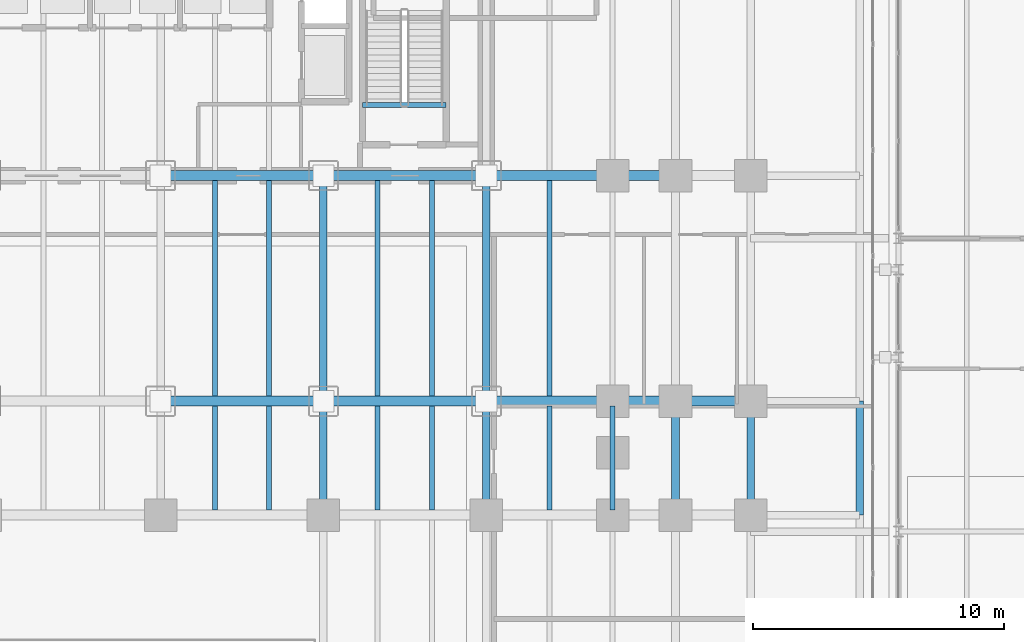
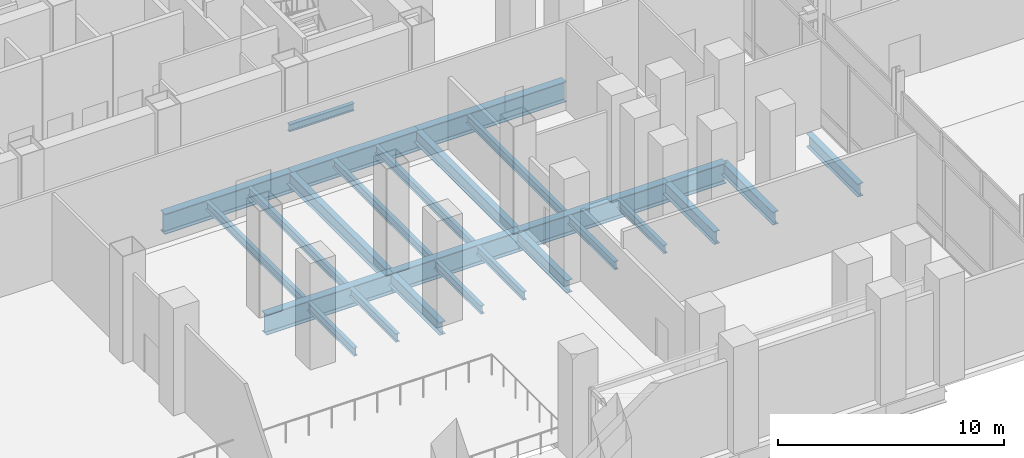
# One storey, part 10 of 36: 26 beams.
"""IFC4 building model written with IfcOpenShell, lengths in metres."""

from ifc_helpers import new_model, si_unit, direction, frame, origin, origin_2d, place, context, subcontext, project, spatial, i_section, extrude, material, material_profile, profile_set, type_object, element, save


model = new_model("IFC4")

# Units and contexts
model_context = context("Model", 3, precision=1e-05, world=origin(), true_north=direction((0.0, 1.0)))
body_context = subcontext(model_context, "Body", "Model", "MODEL_VIEW")
ifc_project = project(units=[si_unit("LENGTHUNIT", "METRE"), si_unit("AREAUNIT", "SQUARE_METRE"), si_unit("VOLUMEUNIT", "CUBIC_METRE"), si_unit("PLANEANGLEUNIT", "RADIAN"), si_unit("MASSUNIT", "GRAM", prefix="KILO")], contexts=[model_context])

# Site, building, storey
site_placement = place(None, origin())
site = spatial("IfcSite", under=ifc_project, at=site_placement, CompositionType="ELEMENT")
building_placement = place(site_placement, origin())
building = spatial("IfcBuilding", under=site, at=building_placement, Name="Noeulbin Bourse Tower", CompositionType="ELEMENT")
storey_placement = place(building_placement, origin())
storey = spatial("IfcBuildingStorey", under=building, at=storey_placement, Name="L01", CompositionType="ELEMENT", Elevation=0.0)

# Beams
ifc_material_1 = material(Name="Steel S355", Category="steel")
ifc_material_profile_1 = material_profile(ifc_material_1, i_section(OverallWidth=0.300048828125, OverallDepth=0.699951171875, WebThickness=0.012939453125, FlangeThickness=0.02392578125, FilletRadius=0.02392578125, at=origin_2d()), Name="H-700x300x13x24", Category="LoadBearing")
ifc_profile_set_1 = profile_set([ifc_material_profile_1], Name="Steel S355")
beam_type_1 = type_object("IfcBeamType", Name="BM-GRD-700", PredefinedType="USERDEFINED", material=ifc_profile_set_1)
beam_1_placement = place(storey_placement, frame((37.5, 15.449951171875, -0.60009765625), z_axis=(0.0, 1.0, 0.0), x_axis=(-1.0, 0.0, 0.0)))
element("IfcBeam", 1, at=beam_1_placement, inside=storey, type_object=beam_type_1, Name="Podium Primary Girder NS L01-111", ObjectType="GIRDER", PredefinedType="USERDEFINED", context=body_context, shape_type="SweptSolid", body=[
    extrude(i_section(OverallWidth=0.300048828125, OverallDepth=0.699951171875, WebThickness=0.012939453125, FlangeThickness=0.02392578125, FilletRadius=0.02392578125, at=origin_2d()), origin(), (0.0, 0.0, 1.0), 4.550048828125),
])
beam_2_placement = place(storey_placement, frame((37.5, 20.0, -0.60009765625), z_axis=(0.0, 1.0, 0.0), x_axis=(-1.0, 0.0, 0.0)))
element("IfcBeam", 2, at=beam_2_placement, inside=storey, type_object=beam_type_1, Name="Podium Primary Girder NS L01-112", ObjectType="GIRDER", PredefinedType="USERDEFINED", context=body_context, shape_type="SweptSolid", body=[
    extrude(i_section(OverallWidth=0.300048828125, OverallDepth=0.699951171875, WebThickness=0.012939453125, FlangeThickness=0.02392578125, FilletRadius=0.02392578125, at=origin_2d()), origin(), (0.0, 0.0, 1.0), 9.0),
])
beam_3_placement = place(storey_placement, frame((44.0, 15.449951171875, -0.60009765625), z_axis=(0.0, 1.0, 0.0), x_axis=(-1.0, 0.0, 0.0)))
element("IfcBeam", 3, at=beam_3_placement, inside=storey, type_object=beam_type_1, Name="Podium Primary Girder NS L01-118", ObjectType="GIRDER", PredefinedType="USERDEFINED", context=body_context, shape_type="SweptSolid", body=[
    extrude(i_section(OverallWidth=0.300048828125, OverallDepth=0.699951171875, WebThickness=0.012939453125, FlangeThickness=0.02392578125, FilletRadius=0.02392578125, at=origin_2d()), origin(), (0.0, 0.0, 1.0), 4.550048828125),
])
beam_4_placement = place(storey_placement, frame((44.0, 20.0, -0.60009765625), z_axis=(0.0, 1.0, 0.0), x_axis=(-1.0, 0.0, 0.0)))
element("IfcBeam", 4, at=beam_4_placement, inside=storey, type_object=beam_type_1, Name="Podium Primary Girder NS L01-119", ObjectType="GIRDER", PredefinedType="USERDEFINED", context=body_context, shape_type="SweptSolid", body=[
    extrude(i_section(OverallWidth=0.300048828125, OverallDepth=0.699951171875, WebThickness=0.012939453125, FlangeThickness=0.02392578125, FilletRadius=0.02392578125, at=origin_2d()), origin(), (0.0, 0.0, 1.0), 9.0),
])
for number, where, z_axis, x_axis, name in (
    (5, (51.550048828125, 15.449951171875, -0.60009765625), (0.0, 1.0, 0.0), (-1.0, 0.0, 0.0), "Podium Primary Girder NS L01-126"),
    (6, (54.550048828125, 15.449951171875, -0.60009765625), (0.0, 1.0, 0.0), (-1.0, 0.0, 0.0), "Podium Primary Girder NS L01-134"),
    (7, (58.89990234375, 15.449951171875, -0.60009765625), (0.0, 1.0, 0.0), (-1.0, 0.0, 0.0), "BM-L01-JNT-NS-2"),
):
    element("IfcBeam", number, at=place(storey_placement, frame(where, z_axis=z_axis, x_axis=x_axis)), inside=storey, type_object=beam_type_1, Name=name, ObjectType="GIRDER", PredefinedType="USERDEFINED", context=body_context, shape_type="SweptSolid", body=[
        extrude(i_section(OverallWidth=0.300048828125, OverallDepth=0.699951171875, WebThickness=0.012939453125, FlangeThickness=0.02392578125, FilletRadius=0.02392578125, at=origin_2d()), origin(), (0.0, 0.0, 1.0), 4.550048828125),
    ])
ifc_material_profile_2 = material_profile(ifc_material_1, i_section(OverallWidth=0.199951171875, OverallDepth=0.39990234375, WebThickness=0.008056640625, FlangeThickness=0.012939453125, FilletRadius=0.01611328125, at=origin_2d()), Name="H-400x200x8x13", Category="LoadBearing")
ifc_profile_set_2 = profile_set([ifc_material_profile_2], Name="Steel S355")
beam_type_2 = type_object("IfcBeamType", Name="BM-SEC-400", PredefinedType="BEAM", material=ifc_profile_set_2)
beam_5_placement = place(storey_placement, frame((39.06005859375, 31.820068359375, -0.199951171875), z_axis=(1.0, 0.0, 0.0), x_axis=(0.0, 1.0, 0.0)))
element("IfcBeam", 8, at=beam_5_placement, inside=storey, type_object=beam_type_2, Name="Stair Threshold Trimmer Beam ST2-L01", PredefinedType="BEAM", context=body_context, shape_type="SweptSolid", body=[
    extrude(i_section(OverallWidth=0.199951171875, OverallDepth=0.39990234375, WebThickness=0.008056640625, FlangeThickness=0.012939453125, FilletRadius=0.01611328125, at=origin_2d()), origin(), (0.0, 0.0, 1.0), 3.33984375),
])
ifc_material_profile_3 = material_profile(ifc_material_1, i_section(OverallWidth=0.199951171875, OverallDepth=0.449951171875, WebThickness=0.009033203125, FlangeThickness=0.013916015625, FilletRadius=0.01806640625, at=origin_2d()), Name="H-450x200x9x14", Category="LoadBearing")
ifc_profile_set_3 = profile_set([ifc_material_profile_3], Name="Steel S355")
beam_type_3 = type_object("IfcBeamType", Name="BM-SEC-450", PredefinedType="BEAM", material=ifc_profile_set_3)
beam_6_placement = place(storey_placement, frame((33.166748046875, 15.64990234375, -0.47509765625), z_axis=(0.0, 1.0, 0.0), x_axis=(-1.0, 0.0, 0.0)))
element("IfcBeam", 9, at=beam_6_placement, inside=storey, type_object=beam_type_3, Name="Podium Secondary Beam L01-064", PredefinedType="BEAM", context=body_context, shape_type="SweptSolid", body=[
    extrude(i_section(OverallWidth=0.199951171875, OverallDepth=0.449951171875, WebThickness=0.009033203125, FlangeThickness=0.013916015625, FilletRadius=0.01806640625, at=origin_2d()), origin(), (0.0, 0.0, 1.0), 4.150146484375),
])
beam_7_placement = place(storey_placement, frame((33.166748046875, 20.199951171875, -0.47509765625), z_axis=(0.0, 1.0, 0.0), x_axis=(-1.0, 0.0, 0.0)))
element("IfcBeam", 10, at=beam_7_placement, inside=storey, type_object=beam_type_3, Name="Podium Secondary Beam L01-065", PredefinedType="BEAM", context=body_context, shape_type="SweptSolid", body=[
    extrude(i_section(OverallWidth=0.199951171875, OverallDepth=0.449951171875, WebThickness=0.009033203125, FlangeThickness=0.013916015625, FilletRadius=0.01806640625, at=origin_2d()), origin(), (0.0, 0.0, 1.0), 8.60009765625),
])
beam_8_placement = place(storey_placement, frame((35.333251953125, 15.64990234375, -0.47509765625), z_axis=(0.0, 1.0, 0.0), x_axis=(-1.0, 0.0, 0.0)))
element("IfcBeam", 11, at=beam_8_placement, inside=storey, type_object=beam_type_3, Name="Podium Secondary Beam L01-071", PredefinedType="BEAM", context=body_context, shape_type="SweptSolid", body=[
    extrude(i_section(OverallWidth=0.199951171875, OverallDepth=0.449951171875, WebThickness=0.009033203125, FlangeThickness=0.013916015625, FilletRadius=0.01806640625, at=origin_2d()), origin(), (0.0, 0.0, 1.0), 4.150146484375),
])
beam_9_placement = place(storey_placement, frame((35.333251953125, 20.199951171875, -0.47509765625), z_axis=(0.0, 1.0, 0.0), x_axis=(-1.0, 0.0, 0.0)))
element("IfcBeam", 12, at=beam_9_placement, inside=storey, type_object=beam_type_3, Name="Podium Secondary Beam L01-072", PredefinedType="BEAM", context=body_context, shape_type="SweptSolid", body=[
    extrude(i_section(OverallWidth=0.199951171875, OverallDepth=0.449951171875, WebThickness=0.009033203125, FlangeThickness=0.013916015625, FilletRadius=0.01806640625, at=origin_2d()), origin(), (0.0, 0.0, 1.0), 8.60009765625),
])
beam_10_placement = place(storey_placement, frame((39.666748046875, 15.64990234375, -0.47509765625), z_axis=(0.0, 1.0, 0.0), x_axis=(-1.0, 0.0, 0.0)))
element("IfcBeam", 13, at=beam_10_placement, inside=storey, type_object=beam_type_3, Name="Podium Secondary Beam L01-079", PredefinedType="BEAM", context=body_context, shape_type="SweptSolid", body=[
    extrude(i_section(OverallWidth=0.199951171875, OverallDepth=0.449951171875, WebThickness=0.009033203125, FlangeThickness=0.013916015625, FilletRadius=0.01806640625, at=origin_2d()), origin(), (0.0, 0.0, 1.0), 4.150146484375),
])
beam_11_placement = place(storey_placement, frame((39.666748046875, 20.199951171875, -0.47509765625), z_axis=(0.0, 1.0, 0.0), x_axis=(-1.0, 0.0, 0.0)))
element("IfcBeam", 14, at=beam_11_placement, inside=storey, type_object=beam_type_3, Name="Podium Secondary Beam L01-080", PredefinedType="BEAM", context=body_context, shape_type="SweptSolid", body=[
    extrude(i_section(OverallWidth=0.199951171875, OverallDepth=0.449951171875, WebThickness=0.009033203125, FlangeThickness=0.013916015625, FilletRadius=0.01806640625, at=origin_2d()), origin(), (0.0, 0.0, 1.0), 8.60009765625),
])
beam_12_placement = place(storey_placement, frame((41.833251953125, 15.64990234375, -0.47509765625), z_axis=(0.0, 1.0, 0.0), x_axis=(-1.0, 0.0, 0.0)))
element("IfcBeam", 15, at=beam_12_placement, inside=storey, type_object=beam_type_3, Name="Podium Secondary Beam L01-086", PredefinedType="BEAM", context=body_context, shape_type="SweptSolid", body=[
    extrude(i_section(OverallWidth=0.199951171875, OverallDepth=0.449951171875, WebThickness=0.009033203125, FlangeThickness=0.013916015625, FilletRadius=0.01806640625, at=origin_2d()), origin(), (0.0, 0.0, 1.0), 4.150146484375),
])
beam_13_placement = place(storey_placement, frame((41.833251953125, 20.199951171875, -0.47509765625), z_axis=(0.0, 1.0, 0.0), x_axis=(-1.0, 0.0, 0.0)))
element("IfcBeam", 16, at=beam_13_placement, inside=storey, type_object=beam_type_3, Name="Podium Secondary Beam L01-087", PredefinedType="BEAM", context=body_context, shape_type="SweptSolid", body=[
    extrude(i_section(OverallWidth=0.199951171875, OverallDepth=0.449951171875, WebThickness=0.009033203125, FlangeThickness=0.013916015625, FilletRadius=0.01806640625, at=origin_2d()), origin(), (0.0, 0.0, 1.0), 8.60009765625),
])
beam_14_placement = place(storey_placement, frame((46.5166015625, 15.64990234375, -0.47509765625), z_axis=(0.0, 1.0, 0.0), x_axis=(-1.0, 0.0, 0.0)))
element("IfcBeam", 17, at=beam_14_placement, inside=storey, type_object=beam_type_3, Name="Podium Secondary Beam L01-093", PredefinedType="BEAM", context=body_context, shape_type="SweptSolid", body=[
    extrude(i_section(OverallWidth=0.199951171875, OverallDepth=0.449951171875, WebThickness=0.009033203125, FlangeThickness=0.013916015625, FilletRadius=0.01806640625, at=origin_2d()), origin(), (0.0, 0.0, 1.0), 4.150146484375),
])
beam_15_placement = place(storey_placement, frame((46.5166015625, 20.199951171875, -0.47509765625), z_axis=(0.0, 1.0, 0.0), x_axis=(-1.0, 0.0, 0.0)))
element("IfcBeam", 18, at=beam_15_placement, inside=storey, type_object=beam_type_3, Name="Podium Secondary Beam L01-094", PredefinedType="BEAM", context=body_context, shape_type="SweptSolid", body=[
    extrude(i_section(OverallWidth=0.199951171875, OverallDepth=0.449951171875, WebThickness=0.009033203125, FlangeThickness=0.013916015625, FilletRadius=0.01806640625, at=origin_2d()), origin(), (0.0, 0.0, 1.0), 8.60009765625),
])
beam_16_placement = place(storey_placement, frame((49.033203125, 15.64990234375, -0.47509765625), z_axis=(0.0, 1.0, 0.0), x_axis=(-1.0, 0.0, 0.0)))
element("IfcBeam", 19, at=beam_16_placement, inside=storey, type_object=beam_type_3, Name="Podium Secondary Beam L01-100", PredefinedType="BEAM", context=body_context, shape_type="SweptSolid", body=[
    extrude(i_section(OverallWidth=0.199951171875, OverallDepth=0.449951171875, WebThickness=0.009033203125, FlangeThickness=0.013916015625, FilletRadius=0.01806640625, at=origin_2d()), origin(), (0.0, 0.0, 1.0), 4.150146484375),
])
ifc_material_2 = material(Name="Steel S460", Category="steel")
ifc_material_profile_4 = material_profile(ifc_material_2, i_section(OverallWidth=0.39990234375, OverallDepth=1.10009765625, WebThickness=0.02001953125, FlangeThickness=0.035888671875, FilletRadius=0.02392578125, at=origin_2d()), Name="PG-1100x400x20x36", Category="LoadBearing")
ifc_profile_set_4 = profile_set([ifc_material_profile_4], Name="Steel S460")
beam_type_4 = type_object("IfcBeamType", Name="BM-TRF-1100", PredefinedType="USERDEFINED", material=ifc_profile_set_4)
for number, where, z_axis, x_axis, name in (
    (20, (31.0, 20.0, -0.800048828125), (1.0, 0.0, 0.0), (0.0, 1.0, 0.0), "Podium Primary Girder EW L01-029"),
    (21, (37.5, 20.0, -0.800048828125), (1.0, 0.0, 0.0), (0.0, 1.0, 0.0), "Podium Primary Girder EW L01-030"),
):
    element("IfcBeam", number, at=place(storey_placement, frame(where, z_axis=z_axis, x_axis=x_axis)), inside=storey, type_object=beam_type_4, Name=name, ObjectType="GIRDER", PredefinedType="USERDEFINED", context=body_context, shape_type="SweptSolid", body=[
        extrude(i_section(OverallWidth=0.39990234375, OverallDepth=1.10009765625, WebThickness=0.02001953125, FlangeThickness=0.035888671875, FilletRadius=0.02392578125, at=origin_2d()), origin(), (0.0, 0.0, 1.0), 6.5),
    ])
beam_17_placement = place(storey_placement, frame((44.0, 20.0, -0.800048828125), z_axis=(1.0, 0.0, 0.0), x_axis=(0.0, 1.0, 0.0)))
element("IfcBeam", 22, at=beam_17_placement, inside=storey, type_object=beam_type_4, Name="Podium Primary Girder EW L01-031", ObjectType="GIRDER", PredefinedType="USERDEFINED", context=body_context, shape_type="SweptSolid", body=[
    extrude(i_section(OverallWidth=0.39990234375, OverallDepth=1.10009765625, WebThickness=0.02001953125, FlangeThickness=0.035888671875, FilletRadius=0.02392578125, at=origin_2d()), origin(), (0.0, 0.0, 1.0), 7.550048828125),
])
beam_18_placement = place(storey_placement, frame((51.550048828125, 20.0, -0.800048828125), z_axis=(1.0, 0.0, 0.0), x_axis=(0.0, 1.0, 0.0)))
element("IfcBeam", 23, at=beam_18_placement, inside=storey, type_object=beam_type_4, Name="Podium Primary Girder EW L01-032", ObjectType="GIRDER", PredefinedType="USERDEFINED", context=body_context, shape_type="SweptSolid", body=[
    extrude(i_section(OverallWidth=0.39990234375, OverallDepth=1.10009765625, WebThickness=0.02001953125, FlangeThickness=0.035888671875, FilletRadius=0.02392578125, at=origin_2d()), origin(), (0.0, 0.0, 1.0), 3.0),
])
for number, where, z_axis, x_axis, name in (
    (24, (31.0, 29.0, -0.800048828125), (1.0, 0.0, 0.0), (0.0, 1.0, 0.0), "Podium Primary Girder EW L01-037"),
    (25, (37.5, 29.0, -0.800048828125), (1.0, 0.0, 0.0), (0.0, 1.0, 0.0), "Podium Primary Girder EW L01-038"),
):
    element("IfcBeam", number, at=place(storey_placement, frame(where, z_axis=z_axis, x_axis=x_axis)), inside=storey, type_object=beam_type_4, Name=name, ObjectType="GIRDER", PredefinedType="USERDEFINED", context=body_context, shape_type="SweptSolid", body=[
        extrude(i_section(OverallWidth=0.39990234375, OverallDepth=1.10009765625, WebThickness=0.02001953125, FlangeThickness=0.035888671875, FilletRadius=0.02392578125, at=origin_2d()), origin(), (0.0, 0.0, 1.0), 6.5),
    ])
beam_19_placement = place(storey_placement, frame((44.0, 29.0, -0.800048828125), z_axis=(1.0, 0.0, 0.0), x_axis=(0.0, 1.0, 0.0)))
element("IfcBeam", 26, at=beam_19_placement, inside=storey, type_object=beam_type_4, Name="Podium Primary Girder EW L01-039", ObjectType="GIRDER", PredefinedType="USERDEFINED", context=body_context, shape_type="SweptSolid", body=[
    extrude(i_section(OverallWidth=0.39990234375, OverallDepth=1.10009765625, WebThickness=0.02001953125, FlangeThickness=0.035888671875, FilletRadius=0.02392578125, at=origin_2d()), origin(), (0.0, 0.0, 1.0), 7.550048828125),
])

save(model, "model.ifc")
